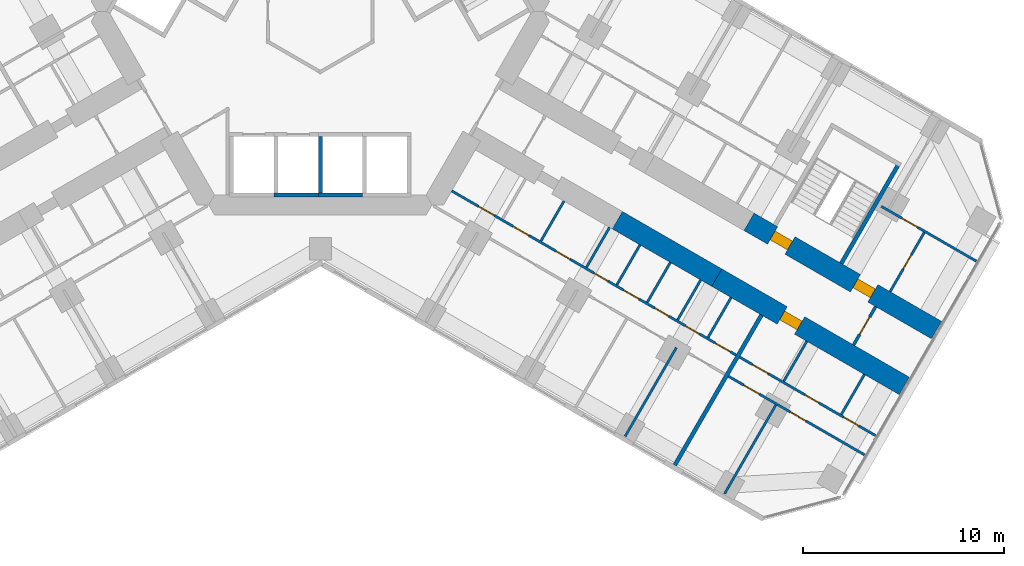
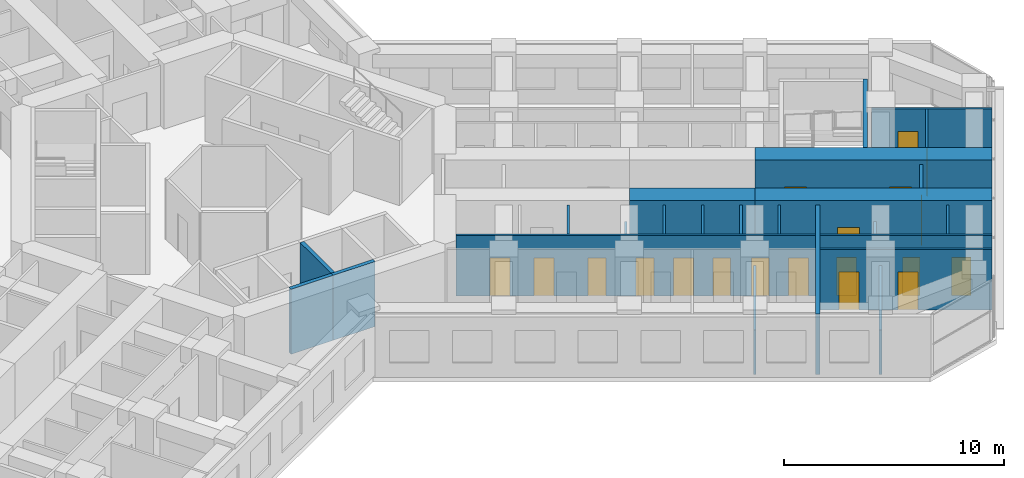
# One storey, part 14 of 21: 24 walls, 19 doors, 19 openings.
"""IFC4 building model written with IfcOpenShell, lengths in metres."""

from ifc_helpers import new_model, si_unit, direction, frame, frame_2d, origin, place, context, subcontext, project, spatial, rectangle, extrude, material, layer, layer_set, type_object, element, fill, save


model = new_model("IFC4")

# Units and contexts
model_context = context("Model", 3, precision=1e-05, world=origin(), true_north=direction((0.0, 1.0)))
body_context = subcontext(model_context, "Body", "Model", "MODEL_VIEW")
ifc_project = project(units=[si_unit("LENGTHUNIT", "METRE"), si_unit("AREAUNIT", "SQUARE_METRE"), si_unit("VOLUMEUNIT", "CUBIC_METRE"), si_unit("PLANEANGLEUNIT", "RADIAN"), si_unit("MASSUNIT", "GRAM", prefix="KILO")], contexts=[model_context])

# Site, building, storey
site_placement = place(None, origin())
site = spatial("IfcSite", under=ifc_project, at=site_placement, CompositionType="ELEMENT")
building_placement = place(site_placement, origin())
building = spatial("IfcBuilding", under=site, at=building_placement, Name="Kosmar Iwan School Tower", CompositionType="ELEMENT")
storey_placement = place(building_placement, frame((0.0, 0.0, 39.39990234375)))
storey = spatial("IfcBuildingStorey", under=building, at=storey_placement, Name="L08", CompositionType="ELEMENT", Elevation=39.39990234375)

# Wall, openings, doors
ifc_material_1 = material(Name="Concrete C50/60", Category="concrete")
ifc_layer_1 = layer(ifc_material_1, 1.0)
ifc_layer_set_1 = layer_set([ifc_layer_1], Name="Corridor buttress wall 1000")
wall_type_1 = type_object("IfcWallType", Name="Corridor buttress wall 1000", PredefinedType="SHEAR", material=ifc_layer_set_1)
wall_1_placement = place(storey_placement, frame((21.281494140625, -10.439453125, 0.0), z_axis=(0.0, 0.0, 1.0), x_axis=(0.866032345022, -0.499987977232, 0.0)))
wall_1 = element("IfcWall", 1, at=wall_1_placement, inside=storey, type_object=wall_type_1, Name="Corridor wall CL bay 3", PredefinedType="SHEAR", context=body_context, shape_type="SweptSolid", body=[
    extrude(rectangle(XDim=10.744873046875, YDim=1.0, at=frame_2d((5.37255859375, 0.0))), origin(), (0.0, 0.0, 1.0), 3.60009765625),
])
opening_1_placement = place(wall_1_placement, frame((6.10009765625, 0.0, 0.0)))
opening_1 = element("IfcOpeningElement", 2, at=opening_1_placement, cuts=wall_1, Name="Opening D1", PredefinedType="OPENING", context=body_context, shape_type="SweptSolid", body=[
    extrude(rectangle(XDim=1.0, YDim=2.10009765625, at=frame_2d((0.5, 1.050048828125))), frame((0.0, 0.511962890625, 0.0), z_axis=(0.0, -1.0, 0.0), x_axis=(1.0, 0.0, 0.0)), (0.0, 0.0, 1.0), 1.02392578125),
])
opening_2_placement = place(wall_1_placement, frame((1.35009765625, 0.0, 0.0)))
opening_2 = element("IfcOpeningElement", 3, at=opening_2_placement, cuts=wall_1, Name="Opening D6", PredefinedType="OPENING", context=body_context, shape_type="SweptSolid", body=[
    extrude(rectangle(XDim=1.0, YDim=2.10009765625, at=frame_2d((0.5, 1.050048828125))), frame((0.0, 0.511962890625, 0.0), z_axis=(0.0, -1.0, 0.0), x_axis=(1.0, 0.0, 0.0)), (0.0, 0.0, 1.0), 1.02392578125),
])
ifc_material_2 = material(Name="Timber fire door in steel frame", Category="steel")
door_type_1 = type_object("IfcDoorType", Name="Flat entrance door 1000x2100", OperationType="SINGLE_SWING_LEFT", PredefinedType="DOOR", material=ifc_material_2)
door_1_placement = place(opening_1_placement, origin())
door_1 = element("IfcDoor", 4, at=door_1_placement, inside=storey, type_object=door_type_1, Name="Flat L08-CL2 entrance door", OperationType="SINGLE_SWING_RIGHT", OverallHeight=2.10009765625, OverallWidth=1.0, PredefinedType="DOOR", context=body_context, shape_type="SweptSolid", body=[
    extrude(rectangle(XDim=1.0, YDim=2.10009765625, at=frame_2d((0.5, 1.050048828125))), frame((0.0, 0.25, 0.0), z_axis=(0.0, -1.0, 0.0), x_axis=(1.0, 0.0, 0.0)), (0.0, 0.0, 1.0), 0.5),
])
fill(opening_1, door_1)
ifc_material_3 = material(Name="Steel fire door", Category="steel")
door_type_2 = type_object("IfcDoorType", Name="Stair door 1000x2100", OperationType="SINGLE_SWING_LEFT", PredefinedType="DOOR", material=ifc_material_3)
door_2_placement = place(opening_2_placement, origin())
door_2 = element("IfcDoor", 5, at=door_2_placement, inside=storey, type_object=door_type_2, Name="Stair WS3 door L08", OperationType="SINGLE_SWING_LEFT", OverallHeight=2.10009765625, OverallWidth=1.0, PredefinedType="DOOR", context=body_context, shape_type="SweptSolid", body=[
    extrude(rectangle(XDim=1.0, YDim=2.10009765625, at=frame_2d((0.5, 1.050048828125))), frame((0.0, 0.25, 0.0), z_axis=(0.0, -1.0, 0.0), x_axis=(1.0, 0.0, 0.0)), (0.0, 0.0, 1.0), 0.5),
])
fill(opening_2, door_2)

# Wall
wall_2_placement = place(storey_placement, frame((14.7451171875, -10.360595703125, 0.0), z_axis=(0.0, 0.0, 1.0), x_axis=(0.866015111908, -0.50001782563, 0.0)))
element("IfcWall", 6, at=wall_2_placement, inside=storey, type_object=wall_type_1, Name="Corridor wall CR bay 2", PredefinedType="SHEAR", context=body_context, shape_type="SweptSolid", body=[
    extrude(rectangle(XDim=5.699951171875, YDim=1.0, at=frame_2d((2.85009765625, 0.0))), origin(), (0.0, 0.0, 1.0), 3.60009765625),
])

# Wall, opening, door
wall_3_placement = place(storey_placement, frame((19.681396484375, -13.210693359375, 0.0), z_axis=(0.0, 0.0, 1.0), x_axis=(0.866028186671, -0.499995179869, 0.0)))
wall_3 = element("IfcWall", 7, at=wall_3_placement, inside=storey, type_object=wall_type_1, Name="Corridor wall CR bay 3", PredefinedType="SHEAR", context=body_context, shape_type="SweptSolid", body=[
    extrude(rectangle(XDim=10.7451171875, YDim=1.0, at=frame_2d((5.37255859375, 0.0))), origin(), (0.0, 0.0, 1.0), 3.60009765625),
])
opening_3_placement = place(wall_3_placement, frame((3.75, 0.0, 0.0)))
opening_3 = element("IfcOpeningElement", 8, at=opening_3_placement, cuts=wall_3, Name="Opening D1", PredefinedType="OPENING", context=body_context, shape_type="SweptSolid", body=[
    extrude(rectangle(XDim=1.0, YDim=2.10009765625, at=frame_2d((0.5, 1.050048828125))), frame((0.0, 0.511962890625, 0.0), z_axis=(0.0, -1.0, 0.0), x_axis=(1.0, 0.0, 0.0)), (0.0, 0.0, 1.0), 1.02392578125),
])
door_3_placement = place(opening_3_placement, origin())
door_3 = element("IfcDoor", 9, at=door_3_placement, inside=storey, type_object=door_type_1, Name="Flat L08-CR2 entrance door", OperationType="SINGLE_SWING_RIGHT", OverallHeight=2.10009765625, OverallWidth=1.0, PredefinedType="DOOR", context=body_context, shape_type="SweptSolid", body=[
    extrude(rectangle(XDim=1.0, YDim=2.10009765625, at=frame_2d((0.5, 1.050048828125))), frame((0.0, 0.25, 0.0), z_axis=(0.0, -1.0, 0.0), x_axis=(1.0, 0.0, 0.0)), (0.0, 0.0, 1.0), 0.5),
])
fill(opening_3, door_3)

ifc_material_4 = material(Name="Gypsum board on steel studs, fire-rated", Category="steel")
ifc_layer_2 = layer(ifc_material_4, 0.14990234375)
ifc_layer_set_2 = layer_set([ifc_layer_2], Name="Corridor end wall 150")
wall_type_2 = type_object("IfcWallType", Name="Corridor end wall 150", PredefinedType="PARTITIONING", material=ifc_layer_set_2)
wall_4_placement = place(storey_placement, frame((26.469970703125, -16.552734375, 0.0), z_axis=(0.0, 0.0, 1.0), x_axis=(0.50002983664, 0.866008176907, 0.0)))
wall_4 = element("IfcWall", 10, at=wall_4_placement, inside=storey, type_object=wall_type_2, Name="Partition L08-C-CE", PredefinedType="PARTITIONING", context=body_context, shape_type="SweptSolid", body=[
    extrude(rectangle(XDim=2.199951171875, YDim=0.14990234375, at=frame_2d((1.10009765625, 0.0))), origin(), (0.0, 0.0, 1.0), 3.35009765625),
])
opening_4_placement = place(wall_4_placement, frame((0.60009765625, 0.0, 0.0)))
opening_4 = element("IfcOpeningElement", 11, at=opening_4_placement, cuts=wall_4, Name="Opening D13", PredefinedType="OPENING", context=body_context, shape_type="SweptSolid", body=[
    extrude(rectangle(XDim=1.0, YDim=2.10009765625, at=frame_2d((0.5, 1.050048828125))), frame((0.0, 0.0869140625, 0.0), z_axis=(0.0, -1.0, 0.0), x_axis=(1.0, 0.0, 0.0)), (0.0, 0.0, 1.0), 0.173828125),
])
ifc_material_5 = material(Name="Timber fire door with vision panel", Category="wood")
door_type_3 = type_object("IfcDoorType", Name="Corridor end door 1000x2100", OperationType="SINGLE_SWING_LEFT", PredefinedType="DOOR", material=ifc_material_5)
door_4_placement = place(opening_4_placement, origin())
door_4 = element("IfcDoor", 12, at=door_4_placement, inside=storey, type_object=door_type_3, Name="Laundry and drying room door L08-C", OperationType="SINGLE_SWING_RIGHT", OverallHeight=2.10009765625, OverallWidth=1.0, PredefinedType="DOOR", context=body_context, shape_type="SweptSolid", body=[
    extrude(rectangle(XDim=1.0, YDim=2.10009765625, at=frame_2d((0.5, 1.050048828125))), frame((0.0, 0.02490234375, 0.0), z_axis=(0.0, -1.0, 0.0), x_axis=(1.0, 0.0, 0.0)), (0.0, 0.0, 1.0), 0.050048828125),
])
fill(opening_4, door_4)

ifc_material_6 = material(Name="Gypsum board on steel studs", Category="steel")
ifc_layer_3 = layer(ifc_material_6, 0.1201171875)
ifc_layer_set_3 = layer_set([ifc_layer_3], Name="Dwelling partition 120")
wall_type_3 = type_object("IfcWallType", Name="Dwelling partition 120", PredefinedType="PARTITIONING", material=ifc_layer_set_3)
wall_5_placement = place(storey_placement, frame((27.846435546875, -9.66845703125, 0.0), z_axis=(0.0, 0.0, 1.0), x_axis=(0.866016093277, -0.500016125924, 0.0)))
wall_5 = element("IfcWall", 13, at=wall_5_placement, inside=storey, type_object=wall_type_3, Name="Partition L08-CL2-TW", PredefinedType="PARTITIONING", context=body_context, shape_type="SweptSolid", body=[
    extrude(rectangle(XDim=5.445068359375, YDim=0.1201171875, at=frame_2d((2.72265625, 0.0))), origin(), (0.0, 0.0, 1.0), 3.35009765625),
])
opening_5_placement = place(wall_5_placement, frame((1.199951171875, 0.0, 0.0)))
opening_5 = element("IfcOpeningElement", 14, at=opening_5_placement, cuts=wall_5, Name="Opening D2", PredefinedType="OPENING", context=body_context, shape_type="SweptSolid", body=[
    extrude(rectangle(XDim=0.89990234375, YDim=2.10009765625, at=frame_2d((0.449951171875, 1.050048828125))), frame((0.0, 0.072021484375, 0.0), z_axis=(0.0, -1.0, 0.0), x_axis=(1.0, 0.0, 0.0)), (0.0, 0.0, 1.0), 0.14404296875),
])
ifc_material_7 = material(Name="Timber door in timber frame", Category="wood")
door_type_4 = type_object("IfcDoorType", Name="Internal door 900x2100", OperationType="SINGLE_SWING_LEFT", PredefinedType="DOOR", material=ifc_material_7)
door_5_placement = place(opening_5_placement, origin())
door_5 = element("IfcDoor", 15, at=door_5_placement, inside=storey, type_object=door_type_4, Name="Entrance hall door L08-CL2-T3", OperationType="SINGLE_SWING_LEFT", OverallHeight=2.10009765625, OverallWidth=0.89990234375, PredefinedType="DOOR", context=body_context, shape_type="SweptSolid", body=[
    extrude(rectangle(XDim=0.89990234375, YDim=2.10009765625, at=frame_2d((0.449951171875, 1.050048828125))), frame((0.0, 0.02490234375, 0.0), z_axis=(0.0, -1.0, 0.0), x_axis=(1.0, 0.0, 0.0)), (0.0, 0.0, 1.0), 0.050048828125),
])
fill(opening_5, door_5)

wall_6_placement = place(storey_placement, frame((28.286376953125, -13.90625, 0.0), z_axis=(0.0, 0.0, 1.0), x_axis=(0.500019607421, 0.866014083139, 0.0)))
wall_6 = element("IfcWall", 16, at=wall_6_placement, inside=storey, type_object=wall_type_3, Name="Partition L08-CL2-TY", PredefinedType="PARTITIONING", context=body_context, shape_type="SweptSolid", body=[
    extrude(rectangle(XDim=3.389892578125, YDim=0.1201171875, at=frame_2d((1.69482421875, 0.0))), origin(), (0.0, 0.0, 1.0), 3.35009765625),
])
opening_6_placement = place(wall_6_placement, frame((1.294921875, 0.0, 0.0)))
opening_6 = element("IfcOpeningElement", 17, at=opening_6_placement, cuts=wall_6, Name="Opening D3", PredefinedType="OPENING", context=body_context, shape_type="SweptSolid", body=[
    extrude(rectangle(XDim=0.800048828125, YDim=2.10009765625, at=frame_2d((0.39990234375, 1.050048828125))), frame((0.0, 0.072021484375, 0.0), z_axis=(0.0, -1.0, 0.0), x_axis=(1.0, 0.0, 0.0)), (0.0, 0.0, 1.0), 0.14404296875),
])
ifc_material_8 = material(Name="Timber door in timber frame", Category="wood")
door_type_5 = type_object("IfcDoorType", Name="Sanitary room door 800x2100", OperationType="SINGLE_SWING_LEFT", PredefinedType="DOOR", material=ifc_material_8)
door_6_placement = place(opening_6_placement, origin())
door_6 = element("IfcDoor", 18, at=door_6_placement, inside=storey, type_object=door_type_5, Name="Bathroom door L08-CL2-T4", OperationType="SINGLE_SWING_LEFT", OverallHeight=2.10009765625, OverallWidth=0.800048828125, PredefinedType="DOOR", context=body_context, shape_type="SweptSolid", body=[
    extrude(rectangle(XDim=0.800048828125, YDim=2.10009765625, at=frame_2d((0.39990234375, 1.050048828125))), frame((0.0, 0.02490234375, 0.0), z_axis=(0.0, -1.0, 0.0), x_axis=(1.0, 0.0, 0.0)), (0.0, 0.0, 1.0), 0.050048828125),
])
fill(opening_6, door_6)

# Wall, openings, doors
wall_7_placement = place(storey_placement, frame((6.521728515625, -8.90380859375, 0.0), z_axis=(0.0, 0.0, 1.0), x_axis=(0.866031694176, -0.499989104564, 0.0)))
wall_7 = element("IfcWall", 19, at=wall_7_placement, inside=storey, type_object=wall_type_3, Name="Partition L08-CR1-W1", PredefinedType="PARTITIONING", context=body_context, shape_type="SweptSolid", body=[
    extrude(rectangle(XDim=16.300048828125, YDim=0.1201171875, at=frame_2d((8.14990234375, 0.0))), origin(), (0.0, 0.0, 1.0), 3.35009765625),
])
opening_7_placement = place(wall_7_placement, frame((1.5400390625, 0.0, 0.0)))
opening_7 = element("IfcOpeningElement", 20, at=opening_7_placement, cuts=wall_7, Name="Opening D2", PredefinedType="OPENING", context=body_context, shape_type="SweptSolid", body=[
    extrude(rectangle(XDim=0.89990234375, YDim=2.10009765625, at=frame_2d((0.449951171875, 1.050048828125))), frame((0.0, 0.072021484375, 0.0), z_axis=(0.0, -1.0, 0.0), x_axis=(1.0, 0.0, 0.0)), (0.0, 0.0, 1.0), 0.14404296875),
])
opening_8_placement = place(wall_7_placement, frame((3.530029296875, 0.0, 0.0)))
opening_8 = element("IfcOpeningElement", 21, at=opening_8_placement, cuts=wall_7, Name="Opening D2", PredefinedType="OPENING", context=body_context, shape_type="SweptSolid", body=[
    extrude(rectangle(XDim=0.89990234375, YDim=2.10009765625, at=frame_2d((0.449951171875, 1.050048828125))), frame((0.0, 0.072021484375, 0.0), z_axis=(0.0, -1.0, 0.0), x_axis=(1.0, 0.0, 0.0)), (0.0, 0.0, 1.0), 0.14404296875),
])
opening_9_placement = place(wall_7_placement, frame((5.986083984375, 0.0, 0.0)))
opening_9 = element("IfcOpeningElement", 22, at=opening_9_placement, cuts=wall_7, Name="Opening D3", PredefinedType="OPENING", context=body_context, shape_type="SweptSolid", body=[
    extrude(rectangle(XDim=0.800048828125, YDim=2.10009765625, at=frame_2d((0.39990234375, 1.050048828125))), frame((0.0, 0.072021484375, 0.0), z_axis=(0.0, -1.0, 0.0), x_axis=(1.0, 0.0, 0.0)), (0.0, 0.0, 1.0), 0.14404296875),
])
opening_10_placement = place(wall_7_placement, frame((8.1630859375, 0.0, 0.0)))
opening_10 = element("IfcOpeningElement", 23, at=opening_10_placement, cuts=wall_7, Name="Opening D3", PredefinedType="OPENING", context=body_context, shape_type="SweptSolid", body=[
    extrude(rectangle(XDim=0.800048828125, YDim=2.10009765625, at=frame_2d((0.39990234375, 1.050048828125))), frame((0.0, 0.072021484375, 0.0), z_axis=(0.0, -1.0, 0.0), x_axis=(1.0, 0.0, 0.0)), (0.0, 0.0, 1.0), 0.14404296875),
])
opening_11_placement = place(wall_7_placement, frame((9.854736328125, 0.0, 0.0)))
opening_11 = element("IfcOpeningElement", 24, at=opening_11_placement, cuts=wall_7, Name="Opening D2", PredefinedType="OPENING", context=body_context, shape_type="SweptSolid", body=[
    extrude(rectangle(XDim=0.89990234375, YDim=2.10009765625, at=frame_2d((0.449951171875, 1.050048828125))), frame((0.0, 0.072021484375, 0.0), z_axis=(0.0, -1.0, 0.0), x_axis=(1.0, 0.0, 0.0)), (0.0, 0.0, 1.0), 0.14404296875),
])
opening_12_placement = place(wall_7_placement, frame((11.646240234375, 0.0, 0.0)))
opening_12 = element("IfcOpeningElement", 25, at=opening_12_placement, cuts=wall_7, Name="Opening D3", PredefinedType="OPENING", context=body_context, shape_type="SweptSolid", body=[
    extrude(rectangle(XDim=0.800048828125, YDim=2.10009765625, at=frame_2d((0.39990234375, 1.050048828125))), frame((0.0, 0.072021484375, 0.0), z_axis=(0.0, -1.0, 0.0), x_axis=(1.0, 0.0, 0.0)), (0.0, 0.0, 1.0), 0.14404296875),
])
opening_13_placement = place(wall_7_placement, frame((13.3876953125, 0.0, 0.0)))
opening_13 = element("IfcOpeningElement", 26, at=opening_13_placement, cuts=wall_7, Name="Opening D3", PredefinedType="OPENING", context=body_context, shape_type="SweptSolid", body=[
    extrude(rectangle(XDim=0.800048828125, YDim=2.10009765625, at=frame_2d((0.39990234375, 1.050048828125))), frame((0.0, 0.072021484375, 0.0), z_axis=(0.0, -1.0, 0.0), x_axis=(1.0, 0.0, 0.0)), (0.0, 0.0, 1.0), 0.14404296875),
])
opening_14_placement = place(wall_7_placement, frame((15.079345703125, 0.0, 0.0)))
opening_14 = element("IfcOpeningElement", 27, at=opening_14_placement, cuts=wall_7, Name="Opening D2", PredefinedType="OPENING", context=body_context, shape_type="SweptSolid", body=[
    extrude(rectangle(XDim=0.89990234375, YDim=2.10009765625, at=frame_2d((0.449951171875, 1.050048828125))), frame((0.0, 0.072021484375, 0.0), z_axis=(0.0, -1.0, 0.0), x_axis=(1.0, 0.0, 0.0)), (0.0, 0.0, 1.0), 0.14404296875),
])
door_7_placement = place(opening_7_placement, origin())
door_7 = element("IfcDoor", 28, at=door_7_placement, inside=storey, type_object=door_type_4, Name="Utility room door L08-CR1-S1", OperationType="SINGLE_SWING_RIGHT", OverallHeight=2.10009765625, OverallWidth=0.89990234375, PredefinedType="DOOR", context=body_context, shape_type="SweptSolid", body=[
    extrude(rectangle(XDim=0.89990234375, YDim=2.10009765625, at=frame_2d((0.449951171875, 1.050048828125))), frame((0.0, 0.02490234375, 0.0), z_axis=(0.0, -1.0, 0.0), x_axis=(1.0, 0.0, 0.0)), (0.0, 0.0, 1.0), 0.050048828125),
])
fill(opening_7, door_7)
door_8_placement = place(opening_8_placement, origin())
door_8 = element("IfcDoor", 29, at=door_8_placement, inside=storey, type_object=door_type_4, Name="Entrance hall door L08-CR1-S2", OperationType="SINGLE_SWING_LEFT", OverallHeight=2.10009765625, OverallWidth=0.89990234375, PredefinedType="DOOR", context=body_context, shape_type="SweptSolid", body=[
    extrude(rectangle(XDim=0.89990234375, YDim=2.10009765625, at=frame_2d((0.449951171875, 1.050048828125))), frame((0.0, 0.02490234375, 0.0), z_axis=(0.0, -1.0, 0.0), x_axis=(1.0, 0.0, 0.0)), (0.0, 0.0, 1.0), 0.050048828125),
])
fill(opening_8, door_8)
door_9_placement = place(opening_11_placement, origin())
door_9 = element("IfcDoor", 30, at=door_9_placement, inside=storey, type_object=door_type_4, Name="Pantry door L08-CR1-S5", OperationType="SINGLE_SWING_RIGHT", OverallHeight=2.10009765625, OverallWidth=0.89990234375, PredefinedType="DOOR", context=body_context, shape_type="SweptSolid", body=[
    extrude(rectangle(XDim=0.89990234375, YDim=2.10009765625, at=frame_2d((0.449951171875, 1.050048828125))), frame((0.0, 0.02490234375, 0.0), z_axis=(0.0, -1.0, 0.0), x_axis=(1.0, 0.0, 0.0)), (0.0, 0.0, 1.0), 0.050048828125),
])
fill(opening_11, door_9)
door_10_placement = place(opening_14_placement, origin())
door_10 = element("IfcDoor", 31, at=door_10_placement, inside=storey, type_object=door_type_4, Name="Dressing room door L08-CR1-S8", OperationType="SINGLE_SWING_RIGHT", OverallHeight=2.10009765625, OverallWidth=0.89990234375, PredefinedType="DOOR", context=body_context, shape_type="SweptSolid", body=[
    extrude(rectangle(XDim=0.89990234375, YDim=2.10009765625, at=frame_2d((0.449951171875, 1.050048828125))), frame((0.0, 0.02490234375, 0.0), z_axis=(0.0, -1.0, 0.0), x_axis=(1.0, 0.0, 0.0)), (0.0, 0.0, 1.0), 0.050048828125),
])
fill(opening_14, door_10)
door_11_placement = place(opening_9_placement, origin())
door_11 = element("IfcDoor", 32, at=door_11_placement, inside=storey, type_object=door_type_5, Name="Bathroom door L08-CR1-S3", OperationType="SINGLE_SWING_RIGHT", OverallHeight=2.10009765625, OverallWidth=0.800048828125, PredefinedType="DOOR", context=body_context, shape_type="SweptSolid", body=[
    extrude(rectangle(XDim=0.800048828125, YDim=2.10009765625, at=frame_2d((0.39990234375, 1.050048828125))), frame((0.0, 0.02490234375, 0.0), z_axis=(0.0, -1.0, 0.0), x_axis=(1.0, 0.0, 0.0)), (0.0, 0.0, 1.0), 0.050048828125),
])
fill(opening_9, door_11)
door_12_placement = place(opening_10_placement, origin())
door_12 = element("IfcDoor", 33, at=door_12_placement, inside=storey, type_object=door_type_5, Name="Shower room door L08-CR1-S4", OperationType="SINGLE_SWING_LEFT", OverallHeight=2.10009765625, OverallWidth=0.800048828125, PredefinedType="DOOR", context=body_context, shape_type="SweptSolid", body=[
    extrude(rectangle(XDim=0.800048828125, YDim=2.10009765625, at=frame_2d((0.39990234375, 1.050048828125))), frame((0.0, 0.02490234375, 0.0), z_axis=(0.0, -1.0, 0.0), x_axis=(1.0, 0.0, 0.0)), (0.0, 0.0, 1.0), 0.050048828125),
])
fill(opening_10, door_12)
door_13_placement = place(opening_12_placement, origin())
door_13 = element("IfcDoor", 34, at=door_13_placement, inside=storey, type_object=door_type_5, Name="WC door L08-CR1-S6", OperationType="SINGLE_SWING_LEFT", OverallHeight=2.10009765625, OverallWidth=0.800048828125, PredefinedType="DOOR", context=body_context, shape_type="SweptSolid", body=[
    extrude(rectangle(XDim=0.800048828125, YDim=2.10009765625, at=frame_2d((0.39990234375, 1.050048828125))), frame((0.0, 0.02490234375, 0.0), z_axis=(0.0, -1.0, 0.0), x_axis=(1.0, 0.0, 0.0)), (0.0, 0.0, 1.0), 0.050048828125),
])
fill(opening_12, door_13)
door_14_placement = place(opening_13_placement, origin())
door_14 = element("IfcDoor", 35, at=door_14_placement, inside=storey, type_object=door_type_5, Name="Store door L08-CR1-S7", OperationType="SINGLE_SWING_RIGHT", OverallHeight=2.10009765625, OverallWidth=0.800048828125, PredefinedType="DOOR", context=body_context, shape_type="SweptSolid", body=[
    extrude(rectangle(XDim=0.800048828125, YDim=2.10009765625, at=frame_2d((0.39990234375, 1.050048828125))), frame((0.0, 0.02490234375, 0.0), z_axis=(0.0, -1.0, 0.0), x_axis=(1.0, 0.0, 0.0)), (0.0, 0.0, 1.0), 0.050048828125),
])
fill(opening_13, door_14)

# Walls
wall_8_placement = place(storey_placement, frame((17.676513671875, -16.683349609375, 0.0), z_axis=(0.0, 0.0, 1.0), x_axis=(-0.499977104415, -0.866038622153, 0.0)))
element("IfcWall", 36, at=wall_8_placement, inside=storey, type_object=wall_type_3, Name="Partition L08-CR1-X4", PredefinedType="PARTITIONING", context=body_context, shape_type="SweptSolid", body=[
    extrude(rectangle(XDim=5.090087890625, YDim=0.1201171875, at=frame_2d((2.544921875, 0.0))), origin(), (0.0, 0.0, 1.0), 2.4501953125),
])
wall_9_placement = place(storey_placement, frame((12.09619140625, -9.40869140625, 0.0), z_axis=(0.0, 0.0, 1.0), x_axis=(-0.500014693593, -0.866016920268, 0.0)))
element("IfcWall", 37, at=wall_9_placement, inside=storey, type_object=wall_type_3, Name="Partition L08-CR1-Y2", PredefinedType="PARTITIONING", context=body_context, shape_type="SweptSolid", body=[
    extrude(rectangle(XDim=2.2900390625, YDim=0.1201171875, at=frame_2d((1.14501953125, 0.0))), origin(), (0.0, 0.0, 1.0), 3.35009765625),
])
wall_10_placement = place(storey_placement, frame((14.358642578125, -10.71484375, 0.0), z_axis=(0.0, 0.0, 1.0), x_axis=(-0.500014693593, -0.866016920268, 0.0)))
element("IfcWall", 38, at=wall_10_placement, inside=storey, type_object=wall_type_3, Name="Partition L08-CR1-Y3", PredefinedType="PARTITIONING", context=body_context, shape_type="SweptSolid", body=[
    extrude(rectangle(XDim=2.2900390625, YDim=0.1201171875, at=frame_2d((1.14501953125, 0.0))), origin(), (0.0, 0.0, 1.0), 2.4501953125),
])
for number, where, z_axis, x_axis, name in (
    (39, (15.86669921875, -11.58544921875, 0.0), (0.0, 0.0, 1.0), (-0.499888569412, -0.866089728707, 0.0), "Partition L08-CR1-Y4"),
    (40, (17.375, -12.456298828125, 0.0), (0.0, 0.0, 1.0), (-0.500014693593, -0.866016920268, 0.0), "Partition L08-CR1-Y5"),
    (41, (18.88330078125, -13.3271484375, 0.0), (0.0, 0.0, 1.0), (-0.500014693593, -0.866016920268, 0.0), "Partition L08-CR1-Y6"),
):
    element("IfcWall", number, at=place(storey_placement, frame(where, z_axis=z_axis, x_axis=x_axis)), inside=storey, type_object=wall_type_3, Name=name, PredefinedType="PARTITIONING", context=body_context, shape_type="SweptSolid", body=[
        extrude(rectangle(XDim=2.2900390625, YDim=0.1201171875, at=frame_2d((1.14501953125, 0.0))), origin(), (0.0, 0.0, 1.0), 3.35009765625),
    ])
wall_11_placement = place(storey_placement, frame((20.391357421875, -14.19775390625, 0.0), z_axis=(0.0, 0.0, 1.0), x_axis=(-0.499968531483, -0.866043571379, 0.0)))
element("IfcWall", 42, at=wall_11_placement, inside=storey, type_object=wall_type_3, Name="Partition L08-CR1-Y7", PredefinedType="PARTITIONING", context=body_context, shape_type="SweptSolid", body=[
    extrude(rectangle(XDim=2.290283203125, YDim=0.1201171875, at=frame_2d((1.14501953125, 0.0))), origin(), (0.0, 0.0, 1.0), 3.35009765625),
])

# Wall, openings, doors
wall_12_placement = place(storey_placement, frame((20.811279296875, -17.15380859375, 0.0), z_axis=(0.0, 0.0, 1.0), x_axis=(0.866029639064, -0.499992664208, 0.0)))
wall_12 = element("IfcWall", 43, at=wall_12_placement, inside=storey, type_object=wall_type_3, Name="Partition L08-CR2-W1", PredefinedType="PARTITIONING", context=body_context, shape_type="SweptSolid", body=[
    extrude(rectangle(XDim=7.794921875, YDim=0.1201171875, at=frame_2d((3.8974609375, 0.0))), origin(), (0.0, 0.0, 1.0), 3.35009765625),
])
opening_15_placement = place(wall_12_placement, frame((0.75, 0.0, 0.0)))
opening_15 = element("IfcOpeningElement", 44, at=opening_15_placement, cuts=wall_12, Name="Opening D2", PredefinedType="OPENING", context=body_context, shape_type="SweptSolid", body=[
    extrude(rectangle(XDim=0.89990234375, YDim=2.10009765625, at=frame_2d((0.449951171875, 1.050048828125))), frame((0.0, 0.072021484375, 0.0), z_axis=(0.0, -1.0, 0.0), x_axis=(1.0, 0.0, 0.0)), (0.0, 0.0, 1.0), 0.14404296875),
])
opening_16_placement = place(wall_12_placement, frame((3.75, 0.0, 0.0)))
opening_16 = element("IfcOpeningElement", 45, at=opening_16_placement, cuts=wall_12, Name="Opening D3", PredefinedType="OPENING", context=body_context, shape_type="SweptSolid", body=[
    extrude(rectangle(XDim=0.800048828125, YDim=2.10009765625, at=frame_2d((0.39990234375, 1.050048828125))), frame((0.0, 0.072021484375, 0.0), z_axis=(0.0, -1.0, 0.0), x_axis=(1.0, 0.0, 0.0)), (0.0, 0.0, 1.0), 0.14404296875),
])
opening_17_placement = place(wall_12_placement, frame((5.9599609375, 0.0, 0.0)))
opening_17 = element("IfcOpeningElement", 46, at=opening_17_placement, cuts=wall_12, Name="Opening D2", PredefinedType="OPENING", context=body_context, shape_type="SweptSolid", body=[
    extrude(rectangle(XDim=0.89990234375, YDim=2.10009765625, at=frame_2d((0.449951171875, 1.050048828125))), frame((0.0, 0.072021484375, 0.0), z_axis=(0.0, -1.0, 0.0), x_axis=(1.0, 0.0, 0.0)), (0.0, 0.0, 1.0), 0.14404296875),
])
door_15_placement = place(opening_15_placement, origin())
door_15 = element("IfcDoor", 47, at=door_15_placement, inside=storey, type_object=door_type_4, Name="Entrance hall door L08-CR2-S1", OperationType="SINGLE_SWING_RIGHT", OverallHeight=2.10009765625, OverallWidth=0.89990234375, PredefinedType="DOOR", context=body_context, shape_type="SweptSolid", body=[
    extrude(rectangle(XDim=0.89990234375, YDim=2.10009765625, at=frame_2d((0.449951171875, 1.050048828125))), frame((0.0, 0.02490234375, 0.0), z_axis=(0.0, -1.0, 0.0), x_axis=(1.0, 0.0, 0.0)), (0.0, 0.0, 1.0), 0.050048828125),
])
fill(opening_15, door_15)
door_16_placement = place(opening_17_placement, origin())
door_16 = element("IfcDoor", 48, at=door_16_placement, inside=storey, type_object=door_type_4, Name="Pantry door L08-CR2-S3", OperationType="SINGLE_SWING_LEFT", OverallHeight=2.10009765625, OverallWidth=0.89990234375, PredefinedType="DOOR", context=body_context, shape_type="SweptSolid", body=[
    extrude(rectangle(XDim=0.89990234375, YDim=2.10009765625, at=frame_2d((0.449951171875, 1.050048828125))), frame((0.0, 0.02490234375, 0.0), z_axis=(0.0, -1.0, 0.0), x_axis=(1.0, 0.0, 0.0)), (0.0, 0.0, 1.0), 0.050048828125),
])
fill(opening_17, door_16)
door_17_placement = place(opening_16_placement, origin())
door_17 = element("IfcDoor", 49, at=door_17_placement, inside=storey, type_object=door_type_5, Name="Bathroom door L08-CR2-S2", OperationType="SINGLE_SWING_LEFT", OverallHeight=2.10009765625, OverallWidth=0.800048828125, PredefinedType="DOOR", context=body_context, shape_type="SweptSolid", body=[
    extrude(rectangle(XDim=0.800048828125, YDim=2.10009765625, at=frame_2d((0.39990234375, 1.050048828125))), frame((0.0, 0.02490234375, 0.0), z_axis=(0.0, -1.0, 0.0), x_axis=(1.0, 0.0, 0.0)), (0.0, 0.0, 1.0), 0.050048828125),
])
fill(opening_16, door_17)

wall_13_placement = place(storey_placement, frame((20.26123046875, -18.1064453125, 0.0), z_axis=(0.0, 0.0, 1.0), x_axis=(0.866029639064, -0.499992664208, 0.0)))
wall_13 = element("IfcWall", 50, at=wall_13_placement, inside=storey, type_object=wall_type_3, Name="Partition L08-CR2-W2", PredefinedType="PARTITIONING", context=body_context, shape_type="SweptSolid", body=[
    extrude(rectangle(XDim=7.794921875, YDim=0.1201171875, at=frame_2d((3.8974609375, 0.0))), origin(), (0.0, 0.0, 1.0), 3.35009765625),
])
opening_18_placement = place(wall_13_placement, frame((0.875, 0.0, 0.0)))
opening_18 = element("IfcOpeningElement", 51, at=opening_18_placement, cuts=wall_13, Name="Opening D2", PredefinedType="OPENING", context=body_context, shape_type="SweptSolid", body=[
    extrude(rectangle(XDim=0.89990234375, YDim=2.10009765625, at=frame_2d((0.449951171875, 1.050048828125))), frame((0.0, 0.072021484375, 0.0), z_axis=(0.0, -1.0, 0.0), x_axis=(1.0, 0.0, 0.0)), (0.0, 0.0, 1.0), 0.14404296875),
])
opening_19_placement = place(wall_13_placement, frame((3.550048828125, 0.0, 0.0)))
opening_19 = element("IfcOpeningElement", 52, at=opening_19_placement, cuts=wall_13, Name="Opening D2", PredefinedType="OPENING", context=body_context, shape_type="SweptSolid", body=[
    extrude(rectangle(XDim=0.89990234375, YDim=2.10009765625, at=frame_2d((0.449951171875, 1.050048828125))), frame((0.0, 0.072021484375, 0.0), z_axis=(0.0, -1.0, 0.0), x_axis=(1.0, 0.0, 0.0)), (0.0, 0.0, 1.0), 0.14404296875),
])
door_18_placement = place(opening_18_placement, origin())
door_18 = element("IfcDoor", 53, at=door_18_placement, inside=storey, type_object=door_type_4, Name="Bedroom 1 door L08-CR2-F1", OperationType="SINGLE_SWING_LEFT", OverallHeight=2.10009765625, OverallWidth=0.89990234375, PredefinedType="DOOR", context=body_context, shape_type="SweptSolid", body=[
    extrude(rectangle(XDim=0.89990234375, YDim=2.10009765625, at=frame_2d((0.449951171875, 1.050048828125))), frame((0.0, 0.02490234375, 0.0), z_axis=(0.0, -1.0, 0.0), x_axis=(1.0, 0.0, 0.0)), (0.0, 0.0, 1.0), 0.050048828125),
])
fill(opening_18, door_18)
door_19_placement = place(opening_19_placement, origin())
door_19 = element("IfcDoor", 54, at=door_19_placement, inside=storey, type_object=door_type_4, Name="Living room and kitchen door L08-CR2-F2", OperationType="SINGLE_SWING_RIGHT", OverallHeight=2.10009765625, OverallWidth=0.89990234375, PredefinedType="DOOR", context=body_context, shape_type="SweptSolid", body=[
    extrude(rectangle(XDim=0.89990234375, YDim=2.10009765625, at=frame_2d((0.449951171875, 1.050048828125))), frame((0.0, 0.02490234375, 0.0), z_axis=(0.0, -1.0, 0.0), x_axis=(1.0, 0.0, 0.0)), (0.0, 0.0, 1.0), 0.050048828125),
])
fill(opening_19, door_19)

# Walls
wall_14_placement = place(storey_placement, frame((22.61279296875, -19.533447265625, 0.0), z_axis=(0.0, 0.0, 1.0), x_axis=(-0.499997873537, -0.866026631495, 0.0)))
element("IfcWall", 55, at=wall_14_placement, inside=storey, type_object=wall_type_3, Name="Partition L08-CR2-X1", PredefinedType="PARTITIONING", context=body_context, shape_type="SweptSolid", body=[
    extrude(rectangle(XDim=5.08984375, YDim=0.1201171875, at=frame_2d((2.544921875, 0.0))), origin(), (0.0, 0.0, 1.0), 2.4501953125),
])
wall_15_placement = place(storey_placement, frame((24.1513671875, -16.36865234375, 0.0), z_axis=(0.0, 0.0, 1.0), x_axis=(-0.500014693593, -0.866016920268, 0.0)))
element("IfcWall", 56, at=wall_15_placement, inside=storey, type_object=wall_type_3, Name="Partition L08-CR2-Y1", PredefinedType="PARTITIONING", context=body_context, shape_type="SweptSolid", body=[
    extrude(rectangle(XDim=2.2900390625, YDim=0.1201171875, at=frame_2d((1.14501953125, 0.0))), origin(), (0.0, 0.0, 1.0), 2.4501953125),
])
wall_16_placement = place(storey_placement, frame((27.00927734375, -18.0185546875, 0.0), z_axis=(0.0, 0.0, 1.0), x_axis=(-0.499968531483, -0.866043571379, 0.0)))
element("IfcWall", 57, at=wall_16_placement, inside=storey, type_object=wall_type_3, Name="Partition L08-CR2-Y2", PredefinedType="PARTITIONING", context=body_context, shape_type="SweptSolid", body=[
    extrude(rectangle(XDim=2.290283203125, YDim=0.1201171875, at=frame_2d((1.14501953125, 0.0))), origin(), (0.0, 0.0, 1.0), 3.35009765625),
])
ifc_material_9 = material(Name="Concrete C35/45", Category="concrete")
ifc_layer_4 = layer(ifc_material_9, 0.199951171875)
ifc_layer_set_4 = layer_set([ifc_layer_4], Name="Escape stair wall 200")
wall_type_4 = type_object("IfcWallType", Name="Escape stair wall 200", PredefinedType="SHEAR", material=ifc_layer_set_4)
wall_17_placement = place(storey_placement, frame((25.861572265625, -12.50634765625, 0.0), z_axis=(0.0, 0.0, 1.0), x_axis=(0.500018801468, 0.86601454848, 0.0)))
element("IfcWall", 58, at=wall_17_placement, inside=storey, type_object=wall_type_4, Name="Stair WS3 wall", PredefinedType="SHEAR", context=body_context, shape_type="SweptSolid", body=[
    extrude(rectangle(XDim=5.800048828125, YDim=0.199951171875, at=frame_2d((2.89990234375, 0.0))), origin(), (0.0, 0.0, 1.0), 3.330078125),
])
ifc_material_10 = material(Name="Concrete C50/60", Category="concrete")
ifc_layer_5 = layer(ifc_material_10, 0.199951171875)
ifc_layer_set_5 = layer_set([ifc_layer_5], Name="Lift shaft wall 200")
wall_type_5 = type_object("IfcWallType", Name="Lift shaft wall 200", PredefinedType="SHEAR", material=ifc_layer_set_5)
wall_18_placement = place(storey_placement, frame((-2.300048828125, -9.10009765625, 0.0), z_axis=(0.0, 0.0, 1.0), x_axis=(1.0, 0.0, 0.0)))
element("IfcWall", 59, at=wall_18_placement, inside=storey, type_object=wall_type_5, Name="Lift and stair back wall BC", PredefinedType="SHEAR", context=body_context, shape_type="SweptSolid", body=[
    extrude(rectangle(XDim=2.199951171875, YDim=0.199951171875, at=frame_2d((1.10009765625, 0.0))), origin(), (0.0, 0.0, 1.0), 3.60009765625),
])
wall_19_placement = place(storey_placement, frame((-0.10009765625, -9.10009765625, 0.0), z_axis=(0.0, 0.0, 1.0), x_axis=(1.0, 0.0, 0.0)))
element("IfcWall", 60, at=wall_19_placement, inside=storey, type_object=wall_type_5, Name="Lift and stair back wall BC", PredefinedType="SHEAR", context=body_context, shape_type="SweptSolid", body=[
    extrude(rectangle(XDim=2.2001953125, YDim=0.199951171875, at=frame_2d((1.10009765625, 0.0))), origin(), (0.0, 0.0, 1.0), 3.60009765625),
])
wall_20_placement = place(storey_placement, frame((0.0, -6.199951171875, 0.0), z_axis=(0.0, 0.0, 1.0), x_axis=(0.0, -1.0, 0.0)))
element("IfcWall", 61, at=wall_20_placement, inside=storey, type_object=wall_type_5, Name="Lift shaft wall BC 2", PredefinedType="SHEAR", context=body_context, shape_type="SweptSolid", body=[
    extrude(rectangle(XDim=2.800048828125, YDim=0.199951171875, at=frame_2d((1.39990234375, 0.0))), origin(), (0.0, 0.0, 1.0), 3.60009765625),
])
ifc_material_11 = material(Name="Concrete block masonry", Category="masonry")
ifc_layer_6 = layer(ifc_material_11, 0.199951171875)
ifc_layer_set_6 = layer_set([ifc_layer_6], Name="Party wall 200")
wall_type_6 = type_object("IfcWallType", Name="Party wall 200", PredefinedType="PARTITIONING", material=ifc_layer_set_6)
wall_21_placement = place(storey_placement, frame((21.899658203125, -15.068603515625, 0.0), z_axis=(0.0, 0.0, 1.0), x_axis=(-0.499995216735, -0.866028165386, 0.0)))
element("IfcWall", 62, at=wall_21_placement, inside=storey, type_object=wall_type_6, Name="Partition L08-CR2-PW", PredefinedType="PARTITIONING", context=body_context, shape_type="SweptSolid", body=[
    extrude(rectangle(XDim=8.60009765625, YDim=0.199951171875, at=frame_2d((4.300048828125, 0.0))), origin(), (0.0, 0.0, 1.0), 3.35009765625),
])

save(model, "model.ifc")
